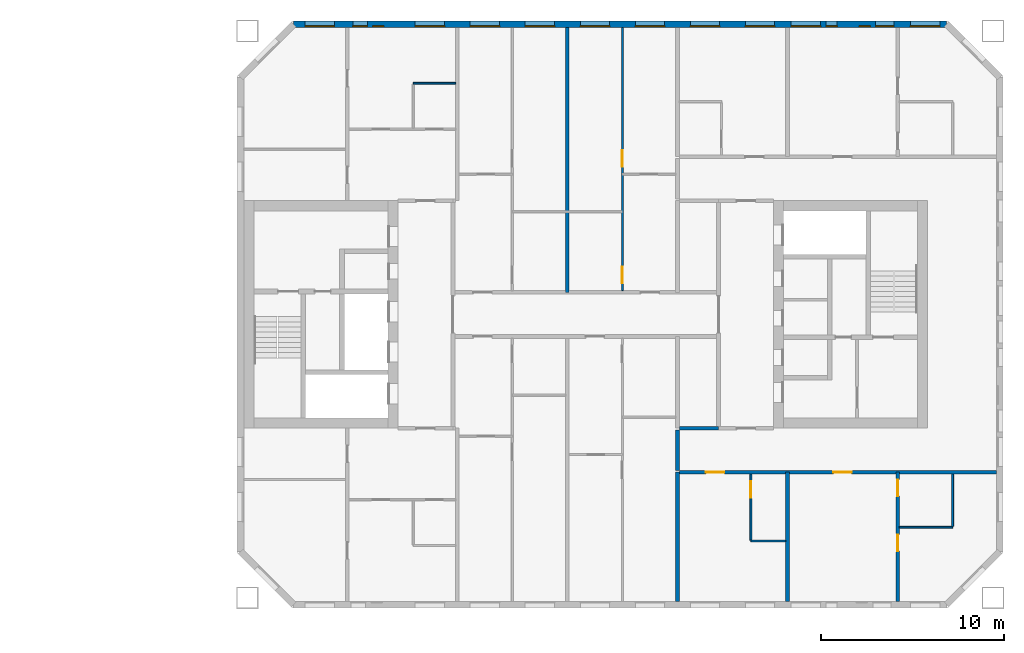
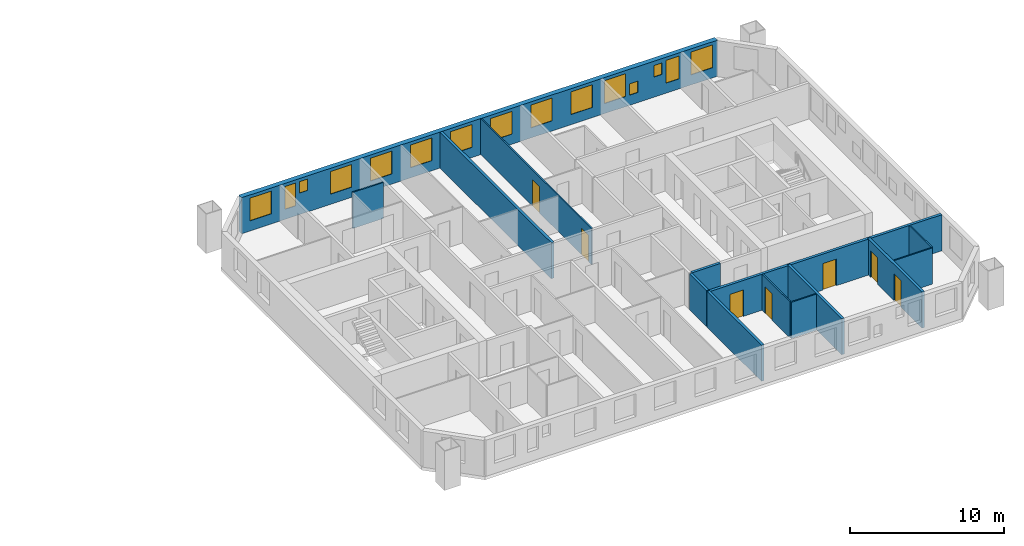
# One storey, part 12 of 17: 15 windows, 14 walls, 7 doors, 22 openings.
"""IFC4 building model written with IfcOpenShell, lengths in metres."""

import ifcopenshell
import ifcopenshell.guid

model = None  # the IFC model being written
_history = None  # IfcOwnerHistory: only IFC2X3 demands one
_inside = {}  # id of a spatial element -> (the spatial element, [elements in it])
_under = {}  # id of a project, library or spatial element -> (it, [spatial elements below it])
_declared = {}  # id of a project -> (the project, [libraries it declares])
_typed = {}  # id of a type object -> (the type object, [elements of that type])
_made_of = {}  # id of a material, layer set ... -> (it, [elements and type objects made of it])


def new_model(schema):
    """Start an empty IFC model of exactly this schema.

    Asked for "IFC4X3", IfcOpenShell would pick the latest addendum, in which some entities
    have other attributes; the version numbers below select the first issue.
    IFC2X3 requires an IfcOwnerHistory on every rooted entity: one is made here for all.
    """
    global model, _history
    if schema == "IFC4X3":
        model = ifcopenshell.file(schema_version=(4, 3, 0, 0))
    else:
        model = ifcopenshell.file(schema=schema)
    _inside.clear()
    _under.clear()
    _declared.clear()
    _typed.clear()
    _made_of.clear()
    _history = None
    if model.schema == "IFC2X3":
        org = make("IfcOrganization", Name="unknown")
        user = make(
            "IfcPersonAndOrganization",
            ThePerson=make("IfcPerson", FamilyName="unknown"),
            TheOrganization=org,
        )
        app = make(
            "IfcApplication",
            ApplicationDeveloper=org,
            Version="unknown",
            ApplicationFullName="unknown",
            ApplicationIdentifier="unknown",
        )
        _history = make(
            "IfcOwnerHistory",
            OwningUser=user,
            OwningApplication=app,
            ChangeAction="ADDED",
            CreationDate=0,
        )
    return model


def make(cls, **values):
    """One entity of the class cls with the attributes given. An attribute that is None is left unset."""
    return model.create_entity(
        cls, **{name: value for name, value in values.items() if value is not None}
    )


def rooted(cls, **values):
    """An entity with a GlobalId (a new one), such as an element, a storey or a relation."""
    return make(cls, GlobalId=ifcopenshell.guid.new(), OwnerHistory=_history, **values)


def si_unit(unit_type, name, prefix=None):
    """IfcSIUnit, for example si_unit("LENGTHUNIT", "METRE", prefix="MILLI")."""
    return make("IfcSIUnit", UnitType=unit_type, Prefix=prefix, Name=name)


def assignment(units):
    """IfcUnitAssignment: the units of a project."""
    return None if units is None else make("IfcUnitAssignment", Units=units)


def point(xyz):
    """IfcCartesianPoint."""
    return None if xyz is None else make("IfcCartesianPoint", Coordinates=xyz)


def direction(xyz):
    """IfcDirection."""
    return None if xyz is None else make("IfcDirection", DirectionRatios=xyz)


def frame(location, z_axis=None, x_axis=None):
    """IfcAxis2Placement3D, a coordinate frame: its origin and axes. An axis left out is left unset."""
    return make(
        "IfcAxis2Placement3D",
        Location=point(location),
        Axis=direction(z_axis),
        RefDirection=direction(x_axis),
    )


def frame_2d(location, x_axis=None):
    """IfcAxis2Placement2D, a coordinate frame in the plane: its origin and x axis."""
    return make(
        "IfcAxis2Placement2D", Location=point(location), RefDirection=direction(x_axis)
    )


def origin():
    """The frame at (0, 0, 0) with its axes left unset."""
    return frame((0.0, 0.0, 0.0))


def place(relative_to, where):
    """IfcLocalPlacement: puts the frame where relative to a parent placement (None: the world)."""
    return make(
        "IfcLocalPlacement", PlacementRelTo=relative_to, RelativePlacement=where
    )


def context(
    kind, dimensions, precision=None, world=None, true_north=None, identifier=None
):
    """IfcGeometricRepresentationContext, for example the 3D "Model" context."""
    return make(
        "IfcGeometricRepresentationContext",
        ContextIdentifier=identifier,
        ContextType=kind,
        CoordinateSpaceDimension=dimensions,
        Precision=precision,
        WorldCoordinateSystem=world,
        TrueNorth=true_north,
    )


def subcontext(parent, identifier, kind, view, scale=None):
    """IfcGeometricRepresentationSubContext, for example "Body" below "Model"."""
    return make(
        "IfcGeometricRepresentationSubContext",
        ContextIdentifier=identifier,
        ContextType=kind,
        ParentContext=parent,
        TargetScale=scale,
        TargetView=view,
    )


def project(units=None, contexts=None):
    """IfcProject with its units and contexts."""
    return rooted(
        "IfcProject",
        Name="project",
        RepresentationContexts=contexts,
        UnitsInContext=assignment(units),
    )


def spatial(cls, under=None, at=None, **own):
    """A site, building, storey or space (cls), placed at a placement, below another one or the project."""
    s = rooted(cls, ObjectPlacement=at, **own)
    if under is not None:
        _under.setdefault(under.id(), (under, []))[1].append(s)
    return s


def profile(cls, at=None, kind="AREA", **sizes):
    """A parametric profile (cls). Its sizes go by their IFC names, for example OverallWidth=200.0."""
    return make(cls, ProfileType=kind, Position=at, **sizes)


def rectangle(**sizes):
    """IfcRectangleProfileDef."""
    return profile("IfcRectangleProfileDef", **sizes)


def extrude(swept, where, along, depth):
    """IfcExtrudedAreaSolid: the profile swept, set in the frame where, extruded along a direction by depth."""
    return make(
        "IfcExtrudedAreaSolid",
        SweptArea=swept,
        Position=where,
        ExtrudedDirection=direction(along),
        Depth=depth,
    )


def shape(context_of_items, identifier, shape_type, items):
    """IfcShapeRepresentation: the items that make up one representation, for example the "Body"."""
    return make(
        "IfcShapeRepresentation",
        ContextOfItems=context_of_items,
        RepresentationIdentifier=identifier,
        RepresentationType=shape_type,
        Items=items,
    )


def material(Name=None, Category=None):
    """IfcMaterial."""
    return make("IfcMaterial", Name=Name, Category=Category)


def layer(
    of_material, thickness, ventilated=None, Name=None, Category=None, Priority=None
):
    """IfcMaterialLayer: one layer of a wall or slab, of a material (None: an air gap)."""
    return make(
        "IfcMaterialLayer",
        Material=of_material,
        LayerThickness=thickness,
        IsVentilated=ventilated,
        Name=Name,
        Category=Category,
        Priority=Priority,
    )


def layer_set(layers, Name=None):
    """IfcMaterialLayerSet."""
    return make("IfcMaterialLayerSet", MaterialLayers=layers, LayerSetName=Name)


def made_of(thing, what):
    """Note that an element or type object is made of a material, layer set ...; save() writes the relation."""
    if what is not None:
        _made_of.setdefault(what.id(), (what, []))[1].append(thing)
    return thing


def type_object(cls, material=None, **own):
    """A type object (cls), such as IfcWallType, which elements share."""
    return made_of(rooted(cls, **own), material)


def element(
    cls,
    number,
    at=None,
    inside=None,
    cuts=None,
    type_object=None,
    material=None,
    context=None,
    identifier="Body",
    shape_type=None,
    held_by="IfcProductDefinitionShape",
    body=None,
    shapes=None,
    **own,
):
    """One element of the class cls, such as IfcWall. Its Tag is "e" and its number.

    at: its placement. inside: the storey or other place that contains it. cuts: it is an
    opening in that element (IfcRelVoidsElement). A single representation is given by context,
    identifier, shape_type and body (its items); several are given by shapes. held_by: the class
    of the entity that holds the representations. save() writes the other relations.
    """
    e = rooted(cls, Tag="e%d" % number, ObjectPlacement=at, **own)
    if body is not None:
        shapes = [shape(context, identifier, shape_type, body)]
    if shapes is not None:
        e.Representation = make(held_by, Representations=shapes)
    if inside is not None:
        _inside.setdefault(inside.id(), (inside, []))[1].append(e)
    if cuts is not None:
        rooted(
            "IfcRelVoidsElement", RelatingBuildingElement=cuts, RelatedOpeningElement=e
        )
    if type_object is not None:
        _typed.setdefault(type_object.id(), (type_object, []))[1].append(e)
    return made_of(e, material)


def fill(opening, filler):
    """IfcRelFillsElement: the door or window that sits in an opening."""
    return rooted(
        "IfcRelFillsElement",
        RelatingOpeningElement=opening,
        RelatedBuildingElement=filler,
    )


def aggregate(whole, parts):
    """IfcRelAggregates: a whole, such as a stair, and the parts it consists of."""
    return rooted("IfcRelAggregates", RelatingObject=whole, RelatedObjects=parts)


def save(model, path):
    """Write the relations noted so far, then the file.

    IfcRelAggregates (storeys below a building ...), IfcRelContainedInSpatialStructure (elements
    in a storey), IfcRelDefinesByType, IfcRelAssociatesMaterial and IfcRelDeclares: one each for
    every whole, place, type object, material and project.
    """
    for whole, parts in _under.values():
        aggregate(whole, parts)
    for where, things in _inside.values():
        rooted(
            "IfcRelContainedInSpatialStructure",
            RelatedElements=things,
            RelatingStructure=where,
        )
    for kind, things in _typed.values():
        rooted("IfcRelDefinesByType", RelatedObjects=things, RelatingType=kind)
    for what, things in _made_of.values():
        rooted("IfcRelAssociatesMaterial", RelatedObjects=things, RelatingMaterial=what)
    for by, libraries in _declared.values():
        rooted("IfcRelDeclares", RelatingContext=by, RelatedDefinitions=libraries)
    model.write(path)


model = new_model("IFC4")

# Units and contexts
model_context = context("Model", 3, precision=1e-05, world=origin(), true_north=direction((0.0, 1.0)))
body_context = subcontext(model_context, "Body", "Model", "MODEL_VIEW")
ifc_project = project(units=[si_unit("LENGTHUNIT", "METRE"), si_unit("AREAUNIT", "SQUARE_METRE"), si_unit("VOLUMEUNIT", "CUBIC_METRE"), si_unit("PLANEANGLEUNIT", "RADIAN"), si_unit("MASSUNIT", "GRAM", prefix="KILO")], contexts=[model_context])

# Site, building, storey
site_placement = place(None, origin())
site = spatial("IfcSite", under=ifc_project, at=site_placement, CompositionType="ELEMENT")
building_placement = place(site_placement, origin())
building = spatial("IfcBuilding", under=site, at=building_placement, Name="Tuart Gate Housing", CompositionType="ELEMENT")
storey_placement = place(building_placement, frame((0.0, 0.0, 126.800048828125)))
storey = spatial("IfcBuildingStorey", under=building, at=storey_placement, Name="L35", CompositionType="ELEMENT", Elevation=126.800048828125)

# Wall, openings, windows
ifc_material_1 = material(Name="Brick", Category="masonry")
ifc_layer_1 = layer(ifc_material_1, 0.360107421875)
ifc_layer_set_1 = layer_set([ifc_layer_1], Name="Brick pier and spandrel wall 360")
wall_type_1 = type_object("IfcWallType", Name="Brick pier and spandrel wall 360", PredefinedType="STANDARD", material=ifc_layer_set_1)
wall_1_placement = place(storey_placement, frame((169.67529296875, 85.820068359375, 0.0), z_axis=(0.0, 0.0, 1.0), x_axis=(-1.0, 0.0, 0.0)))
wall_1 = element("IfcWall", 1, at=wall_1_placement, inside=storey, type_object=wall_type_1, Name="External wall B-N L35", PredefinedType="STANDARD", context=body_context, shape_type="SweptSolid", body=[
    extrude(rectangle(XDim=35.600830078125, YDim=0.360107421875, at=frame_2d((17.80029296875, 0.0))), origin(), (0.0, 0.0, 1.0), 2.849853515625),
])
opening_1_placement = place(wall_1_placement, frame((0.37548828125, 0.0, 0.800048828125)))
opening_1 = element("IfcOpeningElement", 2, at=opening_1_placement, cuts=wall_1, Name="Opening W1", PredefinedType="OPENING", context=body_context, shape_type="SweptSolid", body=[
    extrude(rectangle(XDim=1.60009765625, YDim=1.800048828125, at=frame_2d((0.800048828125, 0.89990234375))), frame((0.0, 0.18994140625, 0.0), z_axis=(0.0, -1.0, 0.0), x_axis=(1.0, 0.0, 0.0)), (0.0, 0.0, 1.0), 0.380126953125),
])
opening_2_placement = place(wall_1_placement, frame((2.87548828125, 0.0, 0.800048828125)))
opening_2 = element("IfcOpeningElement", 3, at=opening_2_placement, cuts=wall_1, Name="Opening W1C", PredefinedType="OPENING", context=body_context, shape_type="SweptSolid", body=[
    extrude(rectangle(XDim=1.0, YDim=1.800048828125, at=frame_2d((0.5, 0.89990234375))), frame((0.0, 0.18994140625, 0.0), z_axis=(0.0, -1.0, 0.0), x_axis=(1.0, 0.0, 0.0)), (0.0, 0.0, 1.0), 0.380126953125),
])
opening_3_placement = place(wall_1_placement, frame((4.17529296875, 0.0, 1.60009765625)))
opening_3 = element("IfcOpeningElement", 4, at=opening_3_placement, cuts=wall_1, Name="Opening W1W", PredefinedType="OPENING", context=body_context, shape_type="SweptSolid", body=[
    extrude(rectangle(XDim=0.60009765625, YDim=0.89990234375, at=frame_2d((0.300048828125, 0.449951171875))), frame((0.0, 0.18994140625, 0.0), z_axis=(0.0, -1.0, 0.0), x_axis=(1.0, 0.0, 0.0)), (0.0, 0.0, 1.0), 0.380126953125),
])
opening_4_placement = place(wall_1_placement, frame((9.37548828125, 0.0, 0.800048828125)))
opening_4 = element("IfcOpeningElement", 5, at=opening_4_placement, cuts=wall_1, Name="Opening W1", PredefinedType="OPENING", context=body_context, shape_type="SweptSolid", body=[
    extrude(rectangle(XDim=1.60009765625, YDim=1.800048828125, at=frame_2d((0.800048828125, 0.89990234375))), frame((0.0, 0.18994140625, 0.0), z_axis=(0.0, -1.0, 0.0), x_axis=(1.0, 0.0, 0.0)), (0.0, 0.0, 1.0), 0.380126953125),
])
opening_5_placement = place(wall_1_placement, frame((12.37548828125, 0.0, 0.800048828125)))
opening_5 = element("IfcOpeningElement", 6, at=opening_5_placement, cuts=wall_1, Name="Opening W1", PredefinedType="OPENING", context=body_context, shape_type="SweptSolid", body=[
    extrude(rectangle(XDim=1.60009765625, YDim=1.800048828125, at=frame_2d((0.800048828125, 0.89990234375))), frame((0.0, 0.18994140625, 0.0), z_axis=(0.0, -1.0, 0.0), x_axis=(1.0, 0.0, 0.0)), (0.0, 0.0, 1.0), 0.380126953125),
])
opening_6_placement = place(wall_1_placement, frame((15.37548828125, 0.0, 0.800048828125)))
opening_6 = element("IfcOpeningElement", 7, at=opening_6_placement, cuts=wall_1, Name="Opening W1", PredefinedType="OPENING", context=body_context, shape_type="SweptSolid", body=[
    extrude(rectangle(XDim=1.60009765625, YDim=1.800048828125, at=frame_2d((0.800048828125, 0.89990234375))), frame((0.0, 0.18994140625, 0.0), z_axis=(0.0, -1.0, 0.0), x_axis=(1.0, 0.0, 0.0)), (0.0, 0.0, 1.0), 0.380126953125),
])
opening_7_placement = place(wall_1_placement, frame((18.37548828125, 0.0, 0.800048828125)))
opening_7 = element("IfcOpeningElement", 8, at=opening_7_placement, cuts=wall_1, Name="Opening W1", PredefinedType="OPENING", context=body_context, shape_type="SweptSolid", body=[
    extrude(rectangle(XDim=1.60009765625, YDim=1.800048828125, at=frame_2d((0.800048828125, 0.89990234375))), frame((0.0, 0.18994140625, 0.0), z_axis=(0.0, -1.0, 0.0), x_axis=(1.0, 0.0, 0.0)), (0.0, 0.0, 1.0), 0.380126953125),
])
opening_8_placement = place(wall_1_placement, frame((21.37548828125, 0.0, 0.800048828125)))
opening_8 = element("IfcOpeningElement", 9, at=opening_8_placement, cuts=wall_1, Name="Opening W1", PredefinedType="OPENING", context=body_context, shape_type="SweptSolid", body=[
    extrude(rectangle(XDim=1.60009765625, YDim=1.800048828125, at=frame_2d((0.800048828125, 0.89990234375))), frame((0.0, 0.18994140625, 0.0), z_axis=(0.0, -1.0, 0.0), x_axis=(1.0, 0.0, 0.0)), (0.0, 0.0, 1.0), 0.380126953125),
])
opening_9_placement = place(wall_1_placement, frame((24.37548828125, 0.0, 0.800048828125)))
opening_9 = element("IfcOpeningElement", 10, at=opening_9_placement, cuts=wall_1, Name="Opening W1", PredefinedType="OPENING", context=body_context, shape_type="SweptSolid", body=[
    extrude(rectangle(XDim=1.60009765625, YDim=1.800048828125, at=frame_2d((0.800048828125, 0.89990234375))), frame((0.0, 0.18994140625, 0.0), z_axis=(0.0, -1.0, 0.0), x_axis=(1.0, 0.0, 0.0)), (0.0, 0.0, 1.0), 0.380126953125),
])
opening_10_placement = place(wall_1_placement, frame((27.37548828125, 0.0, 0.800048828125)))
opening_10 = element("IfcOpeningElement", 11, at=opening_10_placement, cuts=wall_1, Name="Opening W1", PredefinedType="OPENING", context=body_context, shape_type="SweptSolid", body=[
    extrude(rectangle(XDim=1.60009765625, YDim=1.800048828125, at=frame_2d((0.800048828125, 0.89990234375))), frame((0.0, 0.18994140625, 0.0), z_axis=(0.0, -1.0, 0.0), x_axis=(1.0, 0.0, 0.0)), (0.0, 0.0, 1.0), 0.380126953125),
])
opening_11_placement = place(wall_1_placement, frame((30.67529296875, 0.0, 1.699951171875)))
opening_11 = element("IfcOpeningElement", 12, at=opening_11_placement, cuts=wall_1, Name="Opening W1W", PredefinedType="OPENING", context=body_context, shape_type="SweptSolid", body=[
    extrude(rectangle(XDim=0.60009765625, YDim=0.89990234375, at=frame_2d((0.300048828125, 0.449951171875))), frame((0.0, 0.18994140625, 0.0), z_axis=(0.0, -1.0, 0.0), x_axis=(1.0, 0.0, 0.0)), (0.0, 0.0, 1.0), 0.380126953125),
])
opening_12_placement = place(wall_1_placement, frame((33.37548828125, 0.0, 0.800048828125)))
opening_12 = element("IfcOpeningElement", 13, at=opening_12_placement, cuts=wall_1, Name="Opening W1", PredefinedType="OPENING", context=body_context, shape_type="SweptSolid", body=[
    extrude(rectangle(XDim=1.60009765625, YDim=1.800048828125, at=frame_2d((0.800048828125, 0.89990234375))), frame((0.0, 0.18994140625, 0.0), z_axis=(0.0, -1.0, 0.0), x_axis=(1.0, 0.0, 0.0)), (0.0, 0.0, 1.0), 0.380126953125),
])
opening_13_placement = place(wall_1_placement, frame((5.975341796875, 0.0, 0.800048828125)))
opening_13 = element("IfcOpeningElement", 14, at=opening_13_placement, cuts=wall_1, Name="Opening W1W", PredefinedType="OPENING", context=body_context, shape_type="SweptSolid", body=[
    extrude(rectangle(XDim=0.60009765625, YDim=0.89990234375, at=frame_2d((0.300048828125, 0.449951171875))), frame((0.0, 0.18994140625, 0.0), z_axis=(0.0, -1.0, 0.0), x_axis=(1.0, 0.0, 0.0)), (0.0, 0.0, 1.0), 0.380126953125),
])
opening_14_placement = place(wall_1_placement, frame((6.87548828125, 0.0, 0.800048828125)))
opening_14 = element("IfcOpeningElement", 15, at=opening_14_placement, cuts=wall_1, Name="Opening W1", PredefinedType="OPENING", context=body_context, shape_type="SweptSolid", body=[
    extrude(rectangle(XDim=1.60009765625, YDim=1.800048828125, at=frame_2d((0.800048828125, 0.89990234375))), frame((0.0, 0.18994140625, 0.0), z_axis=(0.0, -1.0, 0.0), x_axis=(1.0, 0.0, 0.0)), (0.0, 0.0, 1.0), 0.380126953125),
])
opening_15_placement = place(wall_1_placement, frame((31.575439453125, 0.0, 0.800048828125)))
opening_15 = element("IfcOpeningElement", 16, at=opening_15_placement, cuts=wall_1, Name="Opening W1D", PredefinedType="OPENING", context=body_context, shape_type="SweptSolid", body=[
    extrude(rectangle(XDim=0.800048828125, YDim=1.800048828125, at=frame_2d((0.39990234375, 0.89990234375))), frame((0.0, 0.18994140625, 0.0), z_axis=(0.0, -1.0, 0.0), x_axis=(1.0, 0.0, 0.0)), (0.0, 0.0, 1.0), 0.380126953125),
])
ifc_material_2 = material(Name="Aluminium frame with clear glass", Category="aluminium")
window_type_1 = type_object("IfcWindowType", Name="Punched window 1000 x 1800", PartitioningType="SINGLE_PANEL", PredefinedType="WINDOW", material=ifc_material_2)
window_1_placement = place(opening_2_placement, origin())
window_1 = element("IfcWindow", 17, at=window_1_placement, inside=storey, type_object=window_type_1, Name="Window W1C", OverallHeight=1.800048828125, OverallWidth=1.0, PartitioningType="SINGLE_PANEL", PredefinedType="WINDOW", context=body_context, shape_type="SweptSolid", body=[
    extrude(rectangle(XDim=1.0, YDim=1.800048828125, at=frame_2d((0.5, 0.89990234375))), frame((0.0, 0.150146484375, 0.0), z_axis=(0.0, -1.0, 0.0), x_axis=(1.0, 0.0, 0.0)), (0.0, 0.0, 1.0), 0.06005859375),
])
fill(opening_2, window_1)
ifc_material_3 = material(Name="Aluminium frame with clear glass", Category="aluminium")
window_type_2 = type_object("IfcWindowType", Name="Punched window 1600 x 1800", PartitioningType="SINGLE_PANEL", PredefinedType="WINDOW", material=ifc_material_3)
window_2_placement = place(opening_1_placement, origin())
window_2 = element("IfcWindow", 18, at=window_2_placement, inside=storey, type_object=window_type_2, Name="Window W1", OverallHeight=1.800048828125, OverallWidth=1.60009765625, PartitioningType="SINGLE_PANEL", PredefinedType="WINDOW", context=body_context, shape_type="SweptSolid", body=[
    extrude(rectangle(XDim=1.60009765625, YDim=1.800048828125, at=frame_2d((0.800048828125, 0.89990234375))), frame((0.0, 0.150146484375, 0.0), z_axis=(0.0, -1.0, 0.0), x_axis=(1.0, 0.0, 0.0)), (0.0, 0.0, 1.0), 0.06005859375),
])
fill(opening_1, window_2)
window_3_placement = place(opening_4_placement, origin())
window_3 = element("IfcWindow", 19, at=window_3_placement, inside=storey, type_object=window_type_2, Name="Window W1", OverallHeight=1.800048828125, OverallWidth=1.60009765625, PartitioningType="SINGLE_PANEL", PredefinedType="WINDOW", context=body_context, shape_type="SweptSolid", body=[
    extrude(rectangle(XDim=1.60009765625, YDim=1.800048828125, at=frame_2d((0.800048828125, 0.89990234375))), frame((0.0, 0.150146484375, 0.0), z_axis=(0.0, -1.0, 0.0), x_axis=(1.0, 0.0, 0.0)), (0.0, 0.0, 1.0), 0.06005859375),
])
fill(opening_4, window_3)
window_4_placement = place(opening_5_placement, origin())
window_4 = element("IfcWindow", 20, at=window_4_placement, inside=storey, type_object=window_type_2, Name="Window W1", OverallHeight=1.800048828125, OverallWidth=1.60009765625, PartitioningType="SINGLE_PANEL", PredefinedType="WINDOW", context=body_context, shape_type="SweptSolid", body=[
    extrude(rectangle(XDim=1.60009765625, YDim=1.800048828125, at=frame_2d((0.800048828125, 0.89990234375))), frame((0.0, 0.150146484375, 0.0), z_axis=(0.0, -1.0, 0.0), x_axis=(1.0, 0.0, 0.0)), (0.0, 0.0, 1.0), 0.06005859375),
])
fill(opening_5, window_4)
window_5_placement = place(opening_6_placement, origin())
window_5 = element("IfcWindow", 21, at=window_5_placement, inside=storey, type_object=window_type_2, Name="Window W1", OverallHeight=1.800048828125, OverallWidth=1.60009765625, PartitioningType="SINGLE_PANEL", PredefinedType="WINDOW", context=body_context, shape_type="SweptSolid", body=[
    extrude(rectangle(XDim=1.60009765625, YDim=1.800048828125, at=frame_2d((0.800048828125, 0.89990234375))), frame((0.0, 0.150146484375, 0.0), z_axis=(0.0, -1.0, 0.0), x_axis=(1.0, 0.0, 0.0)), (0.0, 0.0, 1.0), 0.06005859375),
])
fill(opening_6, window_5)
window_6_placement = place(opening_7_placement, origin())
window_6 = element("IfcWindow", 22, at=window_6_placement, inside=storey, type_object=window_type_2, Name="Window W1", OverallHeight=1.800048828125, OverallWidth=1.60009765625, PartitioningType="SINGLE_PANEL", PredefinedType="WINDOW", context=body_context, shape_type="SweptSolid", body=[
    extrude(rectangle(XDim=1.60009765625, YDim=1.800048828125, at=frame_2d((0.800048828125, 0.89990234375))), frame((0.0, 0.150146484375, 0.0), z_axis=(0.0, -1.0, 0.0), x_axis=(1.0, 0.0, 0.0)), (0.0, 0.0, 1.0), 0.06005859375),
])
fill(opening_7, window_6)
window_7_placement = place(opening_8_placement, origin())
window_7 = element("IfcWindow", 23, at=window_7_placement, inside=storey, type_object=window_type_2, Name="Window W1", OverallHeight=1.800048828125, OverallWidth=1.60009765625, PartitioningType="SINGLE_PANEL", PredefinedType="WINDOW", context=body_context, shape_type="SweptSolid", body=[
    extrude(rectangle(XDim=1.60009765625, YDim=1.800048828125, at=frame_2d((0.800048828125, 0.89990234375))), frame((0.0, 0.150146484375, 0.0), z_axis=(0.0, -1.0, 0.0), x_axis=(1.0, 0.0, 0.0)), (0.0, 0.0, 1.0), 0.06005859375),
])
fill(opening_8, window_7)
window_8_placement = place(opening_9_placement, origin())
window_8 = element("IfcWindow", 24, at=window_8_placement, inside=storey, type_object=window_type_2, Name="Window W1", OverallHeight=1.800048828125, OverallWidth=1.60009765625, PartitioningType="SINGLE_PANEL", PredefinedType="WINDOW", context=body_context, shape_type="SweptSolid", body=[
    extrude(rectangle(XDim=1.60009765625, YDim=1.800048828125, at=frame_2d((0.800048828125, 0.89990234375))), frame((0.0, 0.150146484375, 0.0), z_axis=(0.0, -1.0, 0.0), x_axis=(1.0, 0.0, 0.0)), (0.0, 0.0, 1.0), 0.06005859375),
])
fill(opening_9, window_8)
window_9_placement = place(opening_10_placement, origin())
window_9 = element("IfcWindow", 25, at=window_9_placement, inside=storey, type_object=window_type_2, Name="Window W1", OverallHeight=1.800048828125, OverallWidth=1.60009765625, PartitioningType="SINGLE_PANEL", PredefinedType="WINDOW", context=body_context, shape_type="SweptSolid", body=[
    extrude(rectangle(XDim=1.60009765625, YDim=1.800048828125, at=frame_2d((0.800048828125, 0.89990234375))), frame((0.0, 0.150146484375, 0.0), z_axis=(0.0, -1.0, 0.0), x_axis=(1.0, 0.0, 0.0)), (0.0, 0.0, 1.0), 0.06005859375),
])
fill(opening_10, window_9)
window_10_placement = place(opening_12_placement, origin())
window_10 = element("IfcWindow", 26, at=window_10_placement, inside=storey, type_object=window_type_2, Name="Window W1", OverallHeight=1.800048828125, OverallWidth=1.60009765625, PartitioningType="SINGLE_PANEL", PredefinedType="WINDOW", context=body_context, shape_type="SweptSolid", body=[
    extrude(rectangle(XDim=1.60009765625, YDim=1.800048828125, at=frame_2d((0.800048828125, 0.89990234375))), frame((0.0, 0.150146484375, 0.0), z_axis=(0.0, -1.0, 0.0), x_axis=(1.0, 0.0, 0.0)), (0.0, 0.0, 1.0), 0.06005859375),
])
fill(opening_12, window_10)
window_11_placement = place(opening_14_placement, origin())
window_11 = element("IfcWindow", 27, at=window_11_placement, inside=storey, type_object=window_type_2, Name="Window W1", OverallHeight=1.800048828125, OverallWidth=1.60009765625, PartitioningType="SINGLE_PANEL", PredefinedType="WINDOW", context=body_context, shape_type="SweptSolid", body=[
    extrude(rectangle(XDim=1.60009765625, YDim=1.800048828125, at=frame_2d((0.800048828125, 0.89990234375))), frame((0.0, 0.150146484375, 0.0), z_axis=(0.0, -1.0, 0.0), x_axis=(1.0, 0.0, 0.0)), (0.0, 0.0, 1.0), 0.06005859375),
])
fill(opening_14, window_11)
ifc_material_4 = material(Name="Aluminium frame with clear glass", Category="aluminium")
window_type_3 = type_object("IfcWindowType", Name="Punched window 600 x 900", PartitioningType="SINGLE_PANEL", PredefinedType="WINDOW", material=ifc_material_4)
window_12_placement = place(opening_3_placement, origin())
window_12 = element("IfcWindow", 28, at=window_12_placement, inside=storey, type_object=window_type_3, Name="Window W1W", OverallHeight=0.89990234375, OverallWidth=0.60009765625, PartitioningType="SINGLE_PANEL", PredefinedType="WINDOW", context=body_context, shape_type="SweptSolid", body=[
    extrude(rectangle(XDim=0.60009765625, YDim=0.89990234375, at=frame_2d((0.300048828125, 0.449951171875))), frame((0.0, 0.150146484375, 0.0), z_axis=(0.0, -1.0, 0.0), x_axis=(1.0, 0.0, 0.0)), (0.0, 0.0, 1.0), 0.06005859375),
])
fill(opening_3, window_12)
window_13_placement = place(opening_11_placement, origin())
window_13 = element("IfcWindow", 29, at=window_13_placement, inside=storey, type_object=window_type_3, Name="Window W1W", OverallHeight=0.89990234375, OverallWidth=0.60009765625, PartitioningType="SINGLE_PANEL", PredefinedType="WINDOW", context=body_context, shape_type="SweptSolid", body=[
    extrude(rectangle(XDim=0.60009765625, YDim=0.89990234375, at=frame_2d((0.300048828125, 0.449951171875))), frame((0.0, 0.150146484375, 0.0), z_axis=(0.0, -1.0, 0.0), x_axis=(1.0, 0.0, 0.0)), (0.0, 0.0, 1.0), 0.06005859375),
])
fill(opening_11, window_13)
window_14_placement = place(opening_13_placement, origin())
window_14 = element("IfcWindow", 30, at=window_14_placement, inside=storey, type_object=window_type_3, Name="Window W1W", OverallHeight=0.89990234375, OverallWidth=0.60009765625, PartitioningType="SINGLE_PANEL", PredefinedType="WINDOW", context=body_context, shape_type="SweptSolid", body=[
    extrude(rectangle(XDim=0.60009765625, YDim=0.89990234375, at=frame_2d((0.300048828125, 0.449951171875))), frame((0.0, 0.150146484375, 0.0), z_axis=(0.0, -1.0, 0.0), x_axis=(1.0, 0.0, 0.0)), (0.0, 0.0, 1.0), 0.06005859375),
])
fill(opening_13, window_14)
ifc_material_5 = material(Name="Aluminium frame with clear glass", Category="aluminium")
window_type_4 = type_object("IfcWindowType", Name="Punched window 800 x 1800", PartitioningType="SINGLE_PANEL", PredefinedType="WINDOW", material=ifc_material_5)
window_15_placement = place(opening_15_placement, origin())
window_15 = element("IfcWindow", 31, at=window_15_placement, inside=storey, type_object=window_type_4, Name="Window W1D", OverallHeight=1.800048828125, OverallWidth=0.800048828125, PartitioningType="SINGLE_PANEL", PredefinedType="WINDOW", context=body_context, shape_type="SweptSolid", body=[
    extrude(rectangle(XDim=0.800048828125, YDim=1.800048828125, at=frame_2d((0.39990234375, 0.89990234375))), frame((0.0, 0.150146484375, 0.0), z_axis=(0.0, -1.0, 0.0), x_axis=(1.0, 0.0, 0.0)), (0.0, 0.0, 1.0), 0.06005859375),
])
fill(opening_15, window_15)

# Wall, openings, doors
ifc_material_6 = material(Name="Concrete masonry 15 MPa", Category="masonry")
ifc_layer_2 = layer(ifc_material_6, 0.199951171875)
ifc_layer_set_2 = layer_set([ifc_layer_2], Name="Corridor wall masonry 200")
wall_type_2 = type_object("IfcWallType", Name="Corridor wall masonry 200", PredefinedType="PARTITIONING", material=ifc_layer_set_2)
wall_2_placement = place(storey_placement, frame((155.10009765625, 61.39990234375, 0.0), z_axis=(0.0, 0.0, 1.0), x_axis=(1.0, 0.0, 0.0)))
wall_2 = element("IfcWall", 32, at=wall_2_placement, inside=storey, type_object=wall_type_2, Name="Corridor wall masonry 200", PredefinedType="PARTITIONING", context=body_context, shape_type="SweptSolid", body=[
    extrude(rectangle(XDim=17.289794921875, YDim=0.199951171875, at=frame_2d((8.64501953125, 0.0))), origin(), (0.0, 0.0, 1.0), 2.849853515625),
])
opening_16_placement = place(wall_2_placement, frame((1.449951171875, 0.0, 0.0)))
opening_16 = element("IfcOpeningElement", 33, at=opening_16_placement, cuts=wall_2, Name="Opening D1393", PredefinedType="OPENING", context=body_context, shape_type="SweptSolid", body=[
    extrude(rectangle(XDim=1.0, YDim=2.10009765625, at=frame_2d((0.5, 1.050048828125))), frame((0.0, 0.10986328125, 0.0), z_axis=(0.0, -1.0, 0.0), x_axis=(1.0, 0.0, 0.0)), (0.0, 0.0, 1.0), 0.219970703125),
])
opening_17_placement = place(wall_2_placement, frame((8.39990234375, 0.0, 0.0)))
opening_17 = element("IfcOpeningElement", 34, at=opening_17_placement, cuts=wall_2, Name="Opening D1394", PredefinedType="OPENING", context=body_context, shape_type="SweptSolid", body=[
    extrude(rectangle(XDim=1.0, YDim=2.10009765625, at=frame_2d((0.5, 1.050048828125))), frame((0.0, 0.10986328125, 0.0), z_axis=(0.0, -1.0, 0.0), x_axis=(1.0, 0.0, 0.0)), (0.0, 0.0, 1.0), 0.219970703125),
])
ifc_material_7 = material(Name="Timber door leaf in steel frame", Category="steel")
door_type_1 = type_object("IfcDoorType", Name="Flat entrance door 1000", OperationType="SINGLE_SWING_LEFT", PredefinedType="DOOR", material=ifc_material_7)
door_1_placement = place(opening_16_placement, frame((1.0, 0.0, 0.0), z_axis=(0.0, 0.0, 1.0), x_axis=(-1.0, 0.0, 0.0)))
door_1 = element("IfcDoor", 35, at=door_1_placement, inside=storey, type_object=door_type_1, Name="Flat entrance door", OperationType="SINGLE_SWING_LEFT", OverallHeight=2.10009765625, OverallWidth=1.0, PredefinedType="DOOR", context=body_context, shape_type="SweptSolid", body=[
    extrude(rectangle(XDim=1.0, YDim=2.10009765625, at=frame_2d((0.5, 1.050048828125))), frame((0.0, 0.025146484375, 0.0), z_axis=(0.0, -1.0, 0.0), x_axis=(1.0, 0.0, 0.0)), (0.0, 0.0, 1.0), 0.050048828125),
])
fill(opening_16, door_1)
ifc_material_8 = material(Name="Timber door leaf in steel frame", Category="steel")
door_type_2 = type_object("IfcDoorType", Name="Flat entrance door 1000 RH", OperationType="SINGLE_SWING_RIGHT", PredefinedType="DOOR", material=ifc_material_8)
door_2_placement = place(opening_17_placement, frame((1.0, 0.0, 0.0), z_axis=(0.0, 0.0, 1.0), x_axis=(-1.0, 0.0, 0.0)))
door_2 = element("IfcDoor", 36, at=door_2_placement, inside=storey, type_object=door_type_2, Name="Flat entrance door", OperationType="SINGLE_SWING_RIGHT", OverallHeight=2.10009765625, OverallWidth=1.0, PredefinedType="DOOR", context=body_context, shape_type="SweptSolid", body=[
    extrude(rectangle(XDim=1.0, YDim=2.10009765625, at=frame_2d((0.5, 1.050048828125))), frame((0.0, 0.025146484375, 0.0), z_axis=(0.0, -1.0, 0.0), x_axis=(1.0, 0.0, 0.0)), (0.0, 0.0, 1.0), 0.050048828125),
])
fill(opening_17, door_2)

# Walls
wall_3_placement = place(storey_placement, frame((155.10009765625, 63.800048828125, 0.0), z_axis=(0.0, 0.0, 1.0), x_axis=(1.0, 0.0, 0.0)))
element("IfcWall", 37, at=wall_3_placement, inside=storey, type_object=wall_type_2, Name="Corridor wall masonry 200", PredefinedType="PARTITIONING", context=body_context, shape_type="SweptSolid", body=[
    extrude(rectangle(XDim=2.139892578125, YDim=0.199951171875, at=frame_2d((1.06982421875, 0.0))), origin(), (0.0, 0.0, 1.0), 2.849853515625),
])
wall_4_placement = place(storey_placement, frame((155.0, 61.5, 0.0), z_axis=(0.0, 0.0, 1.0), x_axis=(0.0, 1.0, 0.0)))
element("IfcWall", 38, at=wall_4_placement, inside=storey, type_object=wall_type_2, Name="Corridor wall masonry 200", PredefinedType="PARTITIONING", context=body_context, shape_type="SweptSolid", body=[
    extrude(rectangle(XDim=2.199951171875, YDim=0.199951171875, at=frame_2d((1.10009765625, 0.0))), origin(), (0.0, 0.0, 1.0), 2.849853515625),
])
ifc_material_9 = material(Name="Gypsum board on steel studs", Category="steel")
ifc_layer_3 = layer(ifc_material_9, 0.10009765625)
ifc_layer_set_3 = layer_set([ifc_layer_3], Name="Partition 100")
wall_type_3 = type_object("IfcWallType", Name="Partition 100", PredefinedType="PARTITIONING", material=ifc_layer_set_3)
wall_5_placement = place(storey_placement, frame((159.0, 57.64990234375, 0.0), z_axis=(0.0, 0.0, 1.0), x_axis=(1.0, 0.0, 0.0)))
element("IfcWall", 39, at=wall_5_placement, inside=storey, type_object=wall_type_3, Name="Partition 100", PredefinedType="PARTITIONING", context=body_context, shape_type="SweptSolid", body=[
    extrude(rectangle(XDim=1.89990234375, YDim=0.10009765625, at=frame_2d((0.949951171875, 0.0))), origin(), (0.0, 0.0, 1.0), 2.849853515625),
])
wall_6_placement = place(storey_placement, frame((167.10009765625, 58.39990234375, 0.0), z_axis=(0.0, 0.0, 1.0), x_axis=(1.0, 0.0, 0.0)))
element("IfcWall", 40, at=wall_6_placement, inside=storey, type_object=wall_type_3, Name="Partition 100", PredefinedType="PARTITIONING", context=body_context, shape_type="SweptSolid", body=[
    extrude(rectangle(XDim=2.89990234375, YDim=0.10009765625, at=frame_2d((1.449951171875, 0.0))), origin(), (0.0, 0.0, 1.0), 2.849853515625),
])
wall_7_placement = place(storey_placement, frame((140.60009765625, 82.60009765625, 0.0), z_axis=(0.0, 0.0, 1.0), x_axis=(1.0, 0.0, 0.0)))
element("IfcWall", 41, at=wall_7_placement, inside=storey, type_object=wall_type_3, Name="Partition 100", PredefinedType="PARTITIONING", context=body_context, shape_type="SweptSolid", body=[
    extrude(rectangle(XDim=2.2998046875, YDim=0.10009765625, at=frame_2d((1.14990234375, 0.0))), origin(), (0.0, 0.0, 1.0), 2.849853515625),
])

# Wall, openings, doors
wall_8_placement = place(storey_placement, frame((152.0, 71.300048828125, 0.0), z_axis=(0.0, 0.0, 1.0), x_axis=(0.0, 1.0, 0.0)))
wall_8 = element("IfcWall", 42, at=wall_8_placement, inside=storey, type_object=wall_type_3, Name="Partition 100", PredefinedType="PARTITIONING", context=body_context, shape_type="SweptSolid", body=[
    extrude(rectangle(XDim=14.33984375, YDim=0.10009765625, at=frame_2d((7.169921875, 0.0))), origin(), (0.0, 0.0, 1.0), 2.849853515625),
])
opening_18_placement = place(wall_8_placement, frame((6.739990234375, 0.0, 0.0)))
opening_18 = element("IfcOpeningElement", 43, at=opening_18_placement, cuts=wall_8, Name="Opening D1363", PredefinedType="OPENING", context=body_context, shape_type="SweptSolid", body=[
    extrude(rectangle(XDim=0.89990234375, YDim=2.10009765625, at=frame_2d((0.449951171875, 1.050048828125))), frame((0.0, 0.06005859375, 0.0), z_axis=(0.0, -1.0, 0.0), x_axis=(1.0, 0.0, 0.0)), (0.0, 0.0, 1.0), 0.1201171875),
])
opening_19_placement = place(wall_8_placement, frame((0.39990234375, 0.0, 0.0)))
opening_19 = element("IfcOpeningElement", 44, at=opening_19_placement, cuts=wall_8, Name="Opening D1362", PredefinedType="OPENING", context=body_context, shape_type="SweptSolid", body=[
    extrude(rectangle(XDim=0.89990234375, YDim=2.10009765625, at=frame_2d((0.449951171875, 1.050048828125))), frame((0.0, 0.06005859375, 0.0), z_axis=(0.0, -1.0, 0.0), x_axis=(1.0, 0.0, 0.0)), (0.0, 0.0, 1.0), 0.1201171875),
])
ifc_material_10 = material(Name="Timber door leaf in steel frame", Category="steel")
door_type_3 = type_object("IfcDoorType", Name="Bathroom door 900", OperationType="SINGLE_SWING_LEFT", PredefinedType="DOOR", material=ifc_material_10)
door_3_placement = place(opening_19_placement, origin())
door_3 = element("IfcDoor", 45, at=door_3_placement, inside=storey, type_object=door_type_3, Name="Bathroom door", OperationType="SINGLE_SWING_LEFT", OverallHeight=2.10009765625, OverallWidth=0.89990234375, PredefinedType="DOOR", context=body_context, shape_type="SweptSolid", body=[
    extrude(rectangle(XDim=0.89990234375, YDim=2.10009765625, at=frame_2d((0.449951171875, 1.050048828125))), frame((0.0, 0.02490234375, 0.0), z_axis=(0.0, -1.0, 0.0), x_axis=(1.0, 0.0, 0.0)), (0.0, 0.0, 1.0), 0.050048828125),
])
fill(opening_19, door_3)
ifc_material_11 = material(Name="Timber door leaf in steel frame", Category="steel")
door_type_4 = type_object("IfcDoorType", Name="Internal door 900", OperationType="SINGLE_SWING_LEFT", PredefinedType="DOOR", material=ifc_material_11)
door_4_placement = place(opening_18_placement, origin())
door_4 = element("IfcDoor", 46, at=door_4_placement, inside=storey, type_object=door_type_4, Name="Internal door", OperationType="SINGLE_SWING_LEFT", OverallHeight=2.10009765625, OverallWidth=0.89990234375, PredefinedType="DOOR", context=body_context, shape_type="SweptSolid", body=[
    extrude(rectangle(XDim=0.89990234375, YDim=2.10009765625, at=frame_2d((0.449951171875, 1.050048828125))), frame((0.0, 0.02490234375, 0.0), z_axis=(0.0, -1.0, 0.0), x_axis=(1.0, 0.0, 0.0)), (0.0, 0.0, 1.0), 0.050048828125),
])
fill(opening_18, door_4)

# Wall, opening, door
wall_9_placement = place(storey_placement, frame((159.0, 57.699951171875, 0.0), z_axis=(0.0, 0.0, 1.0), x_axis=(0.0, 1.0, 0.0)))
wall_9 = element("IfcWall", 47, at=wall_9_placement, inside=storey, type_object=wall_type_3, Name="Partition 100", PredefinedType="PARTITIONING", context=body_context, shape_type="SweptSolid", body=[
    extrude(rectangle(XDim=3.60009765625, YDim=0.10009765625, at=frame_2d((1.800048828125, 0.0))), origin(), (0.0, 0.0, 1.0), 2.849853515625),
])
opening_20_placement = place(wall_9_placement, frame((2.300048828125, 0.0, 0.0)))
opening_20 = element("IfcOpeningElement", 48, at=opening_20_placement, cuts=wall_9, Name="Opening D1397", PredefinedType="OPENING", context=body_context, shape_type="SweptSolid", body=[
    extrude(rectangle(XDim=0.89990234375, YDim=2.10009765625, at=frame_2d((0.449951171875, 1.050048828125))), frame((0.0, 0.06005859375, 0.0), z_axis=(0.0, -1.0, 0.0), x_axis=(1.0, 0.0, 0.0)), (0.0, 0.0, 1.0), 0.1201171875),
])
door_5_placement = place(opening_20_placement, frame((0.89990234375, 0.0, 0.0), z_axis=(0.0, 0.0, 1.0), x_axis=(-1.0, 0.0, 0.0)))
door_5 = element("IfcDoor", 49, at=door_5_placement, inside=storey, type_object=door_type_3, Name="Bathroom door", OperationType="SINGLE_SWING_LEFT", OverallHeight=2.10009765625, OverallWidth=0.89990234375, PredefinedType="DOOR", context=body_context, shape_type="SweptSolid", body=[
    extrude(rectangle(XDim=0.89990234375, YDim=2.10009765625, at=frame_2d((0.449951171875, 1.050048828125))), frame((0.0, 0.025146484375, 0.0), z_axis=(0.0, -1.0, 0.0), x_axis=(1.0, 0.0, 0.0)), (0.0, 0.0, 1.0), 0.050048828125),
])
fill(opening_20, door_5)

# Walls
wall_10_placement = place(storey_placement, frame((170.0, 58.449951171875, 0.0), z_axis=(0.0, 0.0, 1.0), x_axis=(0.0, 1.0, 0.0)))
element("IfcWall", 50, at=wall_10_placement, inside=storey, type_object=wall_type_3, Name="Partition 100", PredefinedType="PARTITIONING", context=body_context, shape_type="SweptSolid", body=[
    extrude(rectangle(XDim=2.85009765625, YDim=0.10009765625, at=frame_2d((1.425048828125, 0.0))), origin(), (0.0, 0.0, 1.0), 2.849853515625),
])
ifc_material_12 = material(Name="Concrete C40", Category="concrete")
ifc_layer_4 = layer(ifc_material_12, 0.199951171875)
ifc_layer_set_4 = layer_set([ifc_layer_4], Name="Party wall concrete C40 200")
wall_type_4 = type_object("IfcWallType", Name="Party wall concrete C40 200", PredefinedType="SOLIDWALL", material=ifc_layer_set_4)
wall_11_placement = place(storey_placement, frame((149.0, 71.199951171875, 0.0), z_axis=(0.0, 0.0, 1.0), x_axis=(0.0, 1.0, 0.0)))
element("IfcWall", 51, at=wall_11_placement, inside=storey, type_object=wall_type_4, Name="Party wall concrete C40 200", PredefinedType="SOLIDWALL", context=body_context, shape_type="SweptSolid", body=[
    extrude(rectangle(XDim=14.43994140625, YDim=0.199951171875, at=frame_2d((7.219970703125, 0.0))), origin(), (0.0, 0.0, 1.0), 2.849853515625),
])
for number, where, z_axis, x_axis, name in (
    (52, (155.0, 54.360107421875, 0.0), (0.0, 0.0, 1.0), (0.0, 1.0, 0.0), "Party wall concrete C40 200"),
    (53, (161.0, 54.360107421875, 0.0), (0.0, 0.0, 1.0), (0.0, 1.0, 0.0), "Party wall concrete C40 200"),
):
    element("IfcWall", number, at=place(storey_placement, frame(where, z_axis=z_axis, x_axis=x_axis)), inside=storey, type_object=wall_type_4, Name=name, PredefinedType="SOLIDWALL", context=body_context, shape_type="SweptSolid", body=[
        extrude(rectangle(XDim=7.039794921875, YDim=0.199951171875, at=frame_2d((3.52001953125, 0.0))), origin(), (0.0, 0.0, 1.0), 2.849853515625),
    ])

# Wall, openings, doors
wall_12_placement = place(storey_placement, frame((167.0, 54.360107421875, 0.0), z_axis=(0.0, 0.0, 1.0), x_axis=(0.0, 1.0, 0.0)))
wall_12 = element("IfcWall", 54, at=wall_12_placement, inside=storey, type_object=wall_type_4, Name="Party wall concrete C40 200", PredefinedType="SOLIDWALL", context=body_context, shape_type="SweptSolid", body=[
    extrude(rectangle(XDim=7.039794921875, YDim=0.199951171875, at=frame_2d((3.52001953125, 0.0))), origin(), (0.0, 0.0, 1.0), 2.849853515625),
])
opening_21_placement = place(wall_12_placement, frame((2.739990234375, 0.0, 0.0)))
opening_21 = element("IfcOpeningElement", 55, at=opening_21_placement, cuts=wall_12, Name="Opening D1401", PredefinedType="OPENING", context=body_context, shape_type="SweptSolid", body=[
    extrude(rectangle(XDim=0.89990234375, YDim=2.10009765625, at=frame_2d((0.449951171875, 1.050048828125))), frame((0.0, 0.10986328125, 0.0), z_axis=(0.0, -1.0, 0.0), x_axis=(1.0, 0.0, 0.0)), (0.0, 0.0, 1.0), 0.219970703125),
])
opening_22_placement = place(wall_12_placement, frame((5.739990234375, 0.0, 0.0)))
opening_22 = element("IfcOpeningElement", 56, at=opening_22_placement, cuts=wall_12, Name="Opening D1400", PredefinedType="OPENING", context=body_context, shape_type="SweptSolid", body=[
    extrude(rectangle(XDim=0.89990234375, YDim=2.10009765625, at=frame_2d((0.449951171875, 1.050048828125))), frame((0.0, 0.10986328125, 0.0), z_axis=(0.0, -1.0, 0.0), x_axis=(1.0, 0.0, 0.0)), (0.0, 0.0, 1.0), 0.219970703125),
])
door_6_placement = place(opening_22_placement, frame((0.89990234375, 0.0, 0.0), z_axis=(0.0, 0.0, 1.0), x_axis=(-1.0, 0.0, 0.0)))
door_6 = element("IfcDoor", 57, at=door_6_placement, inside=storey, type_object=door_type_3, Name="Bathroom door", OperationType="SINGLE_SWING_LEFT", OverallHeight=2.10009765625, OverallWidth=0.89990234375, PredefinedType="DOOR", context=body_context, shape_type="SweptSolid", body=[
    extrude(rectangle(XDim=0.89990234375, YDim=2.10009765625, at=frame_2d((0.449951171875, 1.050048828125))), frame((0.0, 0.025146484375, 0.0), z_axis=(0.0, -1.0, 0.0), x_axis=(1.0, 0.0, 0.0)), (0.0, 0.0, 1.0), 0.050048828125),
])
fill(opening_22, door_6)
door_7_placement = place(opening_21_placement, frame((0.89990234375, 0.0, 0.0), z_axis=(0.0, 0.0, 1.0), x_axis=(-1.0, 0.0, 0.0)))
door_7 = element("IfcDoor", 58, at=door_7_placement, inside=storey, type_object=door_type_4, Name="Internal door", OperationType="SINGLE_SWING_LEFT", OverallHeight=2.10009765625, OverallWidth=0.89990234375, PredefinedType="DOOR", context=body_context, shape_type="SweptSolid", body=[
    extrude(rectangle(XDim=0.89990234375, YDim=2.10009765625, at=frame_2d((0.449951171875, 1.050048828125))), frame((0.0, 0.025146484375, 0.0), z_axis=(0.0, -1.0, 0.0), x_axis=(1.0, 0.0, 0.0)), (0.0, 0.0, 1.0), 0.050048828125),
])
fill(opening_21, door_7)

save(model, "model.ifc")
